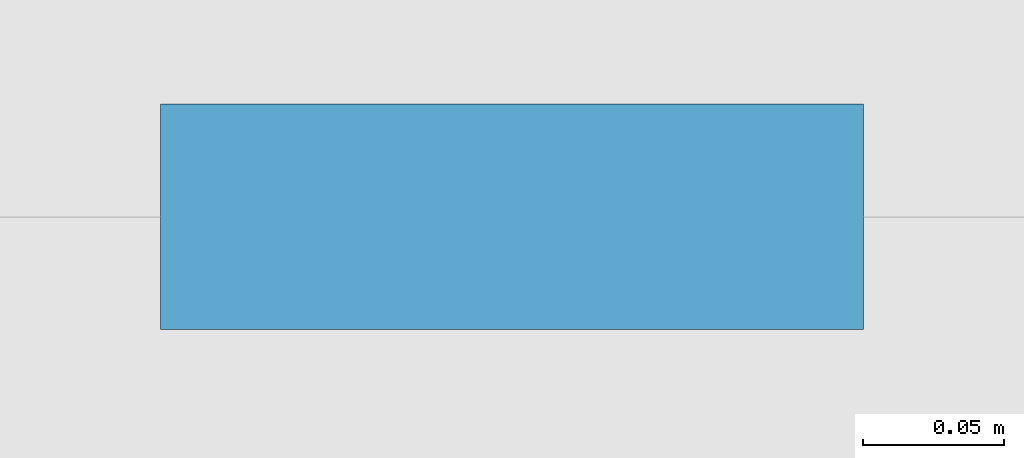
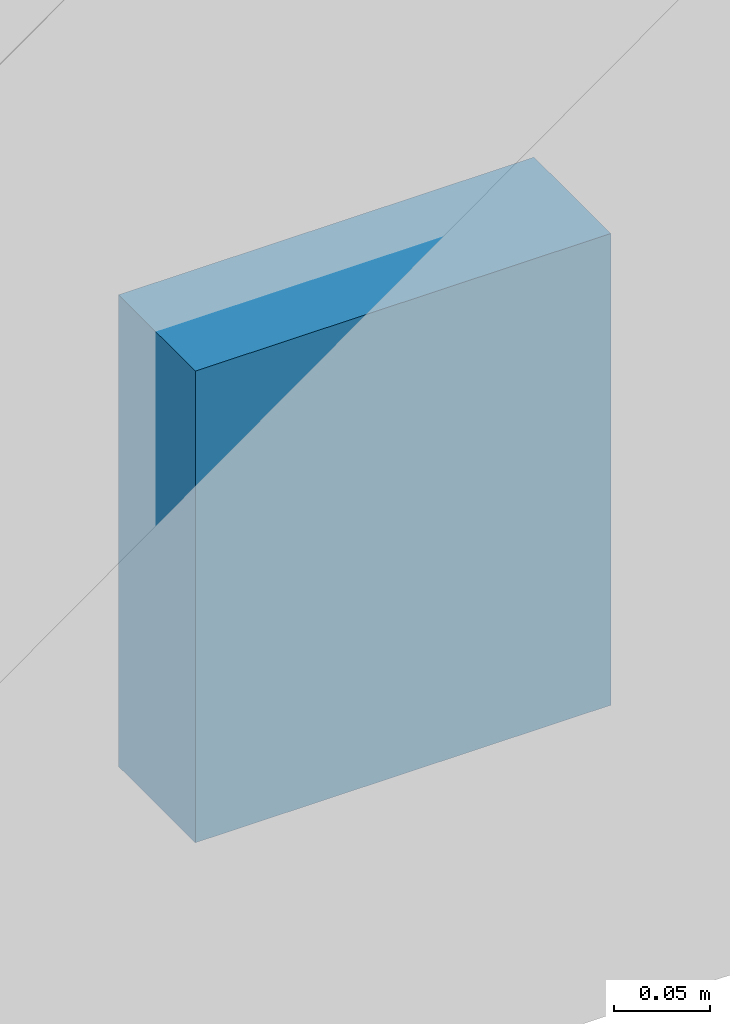
# One storey, part 101 of 249: 1 discrete accessory.
"""IFC4 building model written with IfcOpenShell, lengths in metres."""

from ifc_helpers import new_model, si_unit, direction, frame, origin, origin_2d, place, context, subcontext, project, spatial, rectangle, extrude, material, layer, layer_set, type_object, element, save


model = new_model("IFC4")

# Units and contexts
model_context = context("Model", 3, precision=1e-05, world=origin(), true_north=direction((0.0, 1.0)))
body_context = subcontext(model_context, "Body", "Model", "MODEL_VIEW")
ifc_project = project(units=[si_unit("LENGTHUNIT", "METRE"), si_unit("AREAUNIT", "SQUARE_METRE"), si_unit("VOLUMEUNIT", "CUBIC_METRE"), si_unit("PLANEANGLEUNIT", "RADIAN"), si_unit("MASSUNIT", "GRAM", prefix="KILO")], contexts=[model_context])

# Site, building, storey
site_placement = place(None, origin())
site = spatial("IfcSite", under=ifc_project, at=site_placement, CompositionType="ELEMENT")
building_placement = place(site_placement, origin())
building = spatial("IfcBuilding", under=site, at=building_placement, Name="Ogive Plaza Stadium", CompositionType="ELEMENT")
storey_placement = place(building_placement, frame((0.0, 0.0, 13.5)))
storey = spatial("IfcBuildingStorey", under=building, at=storey_placement, Name="L03", CompositionType="ELEMENT", Elevation=13.5)

# Discrete accessory
ifc_material = material(Name="Steel ASTM A572 Grade 50", Category="steel")
ifc_layer = layer(ifc_material, 0.080078125)
ifc_layer_set = layer_set([ifc_layer], Name="Steel ASTM A572 Grade 50")
discrete_accessory_type = type_object("IfcDiscreteAccessoryType", Name="Spandrel cladding bracket 250x300", PredefinedType="BRACKET", material=ifc_layer_set)
discrete_accessory_placement = place(storey_placement, frame((-27.199951171875, -102.85009765625, -1.31005859375), z_axis=(0.0, 0.0, 1.0), x_axis=(-1.0, 0.0, 0.0)))
element("IfcDiscreteAccessory", 1, at=discrete_accessory_placement, inside=storey, type_object=discrete_accessory_type, Name="SPANDREL BRACKET B16 L03", PredefinedType="BRACKET", context=body_context, shape_type="SweptSolid", body=[
    extrude(rectangle(XDim=0.25, YDim=0.080078125, at=origin_2d()), origin(), (0.0, 0.0, 1.0), 0.300048828125),
])

save(model, "model.ifc")
